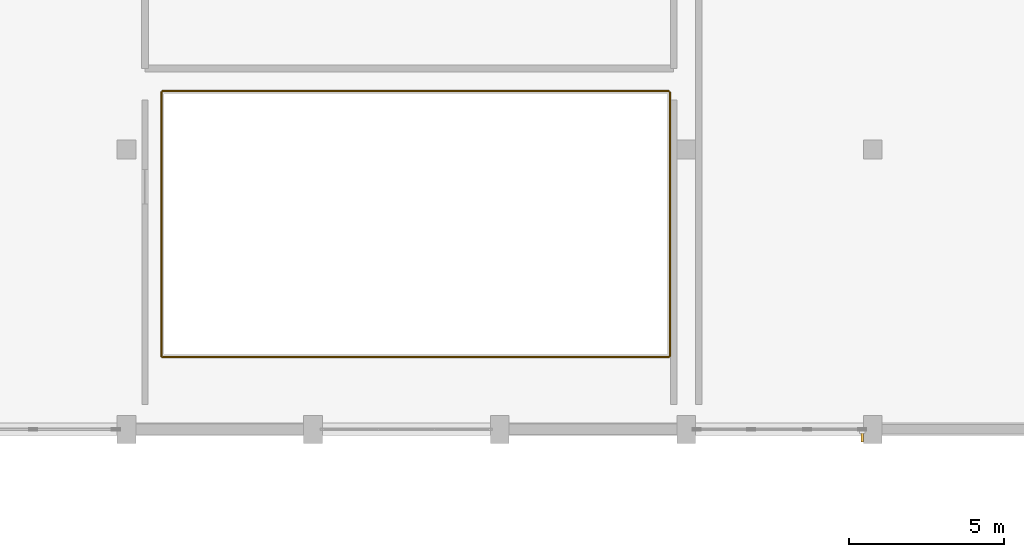
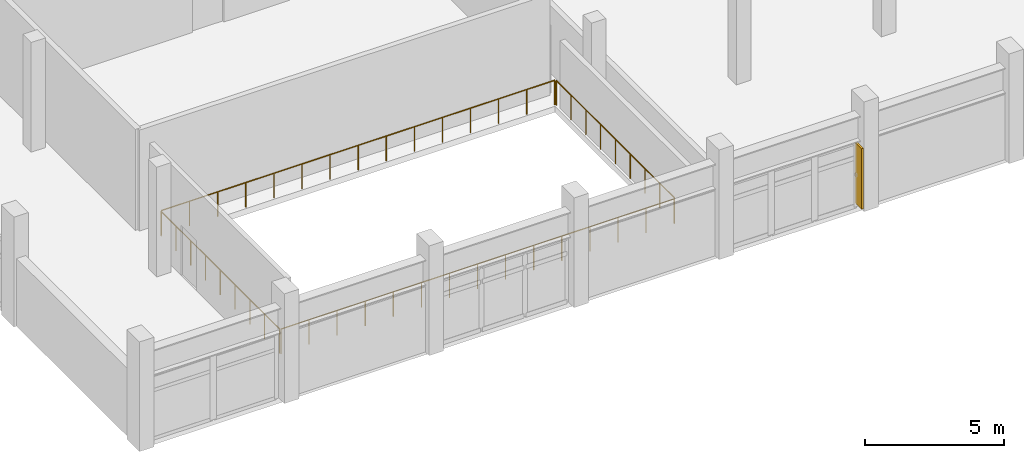
# One storey, part 52 of 62: 4 railings, 1 shading device.
"""IFC4 building model written with IfcOpenShell, lengths in metres."""

from ifc_helpers import new_model, si_unit, direction, frame, origin, origin_2d, place, context, subcontext, project, spatial, rectangle, circle, extrude, material, type_object, element, save


model = new_model("IFC4")

# Units and contexts
model_context = context("Model", 3, precision=1e-05, world=origin(), true_north=direction((0.0, 1.0)))
body_context = subcontext(model_context, "Body", "Model", "MODEL_VIEW")
ifc_project = project(units=[si_unit("LENGTHUNIT", "METRE"), si_unit("AREAUNIT", "SQUARE_METRE"), si_unit("VOLUMEUNIT", "CUBIC_METRE"), si_unit("PLANEANGLEUNIT", "RADIAN"), si_unit("MASSUNIT", "GRAM", prefix="KILO")], contexts=[model_context])

# Site, building, storey
site_placement = place(None, origin())
site = spatial("IfcSite", under=ifc_project, at=site_placement, CompositionType="ELEMENT")
building_placement = place(site_placement, origin())
building = spatial("IfcBuilding", under=site, at=building_placement, Name="Vaelkrest Opera House", CompositionType="ELEMENT")
storey_placement = place(building_placement, frame((0.0, 0.0, 19.800048828125)))
storey = spatial("IfcBuildingStorey", under=building, at=storey_placement, Name="L04", CompositionType="ELEMENT", Elevation=19.800048828125)

# Shading device
ifc_material = material(Name="Dark bronze anodized aluminium", Category="aluminium")
shading_device_type = type_object("IfcShadingDeviceType", Name="FIN01", PredefinedType="USERDEFINED", material=ifc_material)
shading_device_placement = place(storey_placement, frame((-45.93798828125, -16.97998046875, 0.10107421875), z_axis=(0.0, 0.0, 1.0), x_axis=(0.0, -1.0, 0.0)))
element("IfcShadingDevice", 1, at=shading_device_placement, inside=storey, type_object=shading_device_type, Name="Bronze vertical facade fin 17", ObjectType="FIN", PredefinedType="USERDEFINED", context=body_context, shape_type="SweptSolid", body=[
    extrude(rectangle(XDim=0.449951171875, YDim=0.080078125, at=origin_2d()), origin(), (0.0, 0.0, 1.0), 2.64990234375),
])

# Railings
railing_type = type_object("IfcRailingType", Name="GR01", PredefinedType="GUARDRAIL", material=ifc_material)
railing_1_placement = place(storey_placement, frame((-68.43994140625, -14.47998046875, 0.0)))
element("IfcRailing", 2, at=railing_1_placement, inside=storey, type_object=railing_type, Name="Atrium/stage void guard V3 L04-1 seg 1", PredefinedType="GUARDRAIL", context=body_context, shape_type="SweptSolid", body=[
    extrude(circle(Radius=0.02392578125, at=origin_2d()), frame((0.0, 0.0, 1.076171875), z_axis=(1.0, 0.0, 0.0), x_axis=(0.0, 1.0, 0.0)), (0.0, 0.0, 1.0), 16.280029296875),
    extrude(circle(Radius=0.02099609375, at=origin_2d()), origin(), (0.0, 0.0, 1.0), 1.052001953125),
    extrude(circle(Radius=0.02099609375, at=origin_2d()), frame((1.162841796875, 0.0, 0.0)), (0.0, 0.0, 1.0), 1.052001953125),
    extrude(circle(Radius=0.02099609375, at=origin_2d()), frame((2.32568359375, 0.0, 0.0)), (0.0, 0.0, 1.0), 1.052001953125),
    extrude(circle(Radius=0.02099609375, at=origin_2d()), frame((3.488525390625, 0.0, 0.0)), (0.0, 0.0, 1.0), 1.052001953125),
    extrude(circle(Radius=0.02099609375, at=origin_2d()), frame((4.6513671875, 0.0, 0.0)), (0.0, 0.0, 1.0), 1.052001953125),
    extrude(circle(Radius=0.02099609375, at=origin_2d()), frame((5.814208984375, 0.0, 0.0)), (0.0, 0.0, 1.0), 1.052001953125),
    extrude(circle(Radius=0.02099609375, at=origin_2d()), frame((6.97705078125, 0.0, 0.0)), (0.0, 0.0, 1.0), 1.052001953125),
    extrude(circle(Radius=0.02099609375, at=origin_2d()), frame((8.14013671875, 0.0, 0.0)), (0.0, 0.0, 1.0), 1.052001953125),
    extrude(circle(Radius=0.02099609375, at=origin_2d()), frame((9.302978515625, 0.0, 0.0)), (0.0, 0.0, 1.0), 1.052001953125),
    extrude(circle(Radius=0.02099609375, at=origin_2d()), frame((10.4658203125, 0.0, 0.0)), (0.0, 0.0, 1.0), 1.052001953125),
    extrude(circle(Radius=0.02099609375, at=origin_2d()), frame((11.628662109375, 0.0, 0.0)), (0.0, 0.0, 1.0), 1.052001953125),
    extrude(circle(Radius=0.02099609375, at=origin_2d()), frame((12.79150390625, 0.0, 0.0)), (0.0, 0.0, 1.0), 1.052001953125),
    extrude(circle(Radius=0.02099609375, at=origin_2d()), frame((13.954345703125, 0.0, 0.0)), (0.0, 0.0, 1.0), 1.052001953125),
    extrude(circle(Radius=0.02099609375, at=origin_2d()), frame((15.1171875, 0.0, 0.0)), (0.0, 0.0, 1.0), 1.052001953125),
    extrude(circle(Radius=0.02099609375, at=origin_2d()), frame((16.280029296875, 0.0, 0.0)), (0.0, 0.0, 1.0), 1.052001953125),
])
railing_2_placement = place(storey_placement, frame((-52.1201171875, -14.43994140625, 0.0)))
element("IfcRailing", 3, at=railing_2_placement, inside=storey, type_object=railing_type, Name="Atrium/stage void guard V3 L04-1 seg 2", PredefinedType="GUARDRAIL", context=body_context, shape_type="SweptSolid", body=[
    extrude(circle(Radius=0.02392578125, at=origin_2d()), frame((0.0, 0.0, 1.076171875), z_axis=(0.0, 1.0, 0.0), x_axis=(-1.0, 0.0, 0.0)), (0.0, 0.0, 1.0), 8.47998046875),
    extrude(circle(Radius=0.02099609375, at=origin_2d()), origin(), (0.0, 0.0, 1.0), 1.052001953125),
    extrude(circle(Radius=0.02099609375, at=origin_2d()), frame((0.0, 1.06005859375, 0.0)), (0.0, 0.0, 1.0), 1.052001953125),
    extrude(circle(Radius=0.02099609375, at=origin_2d()), frame((0.0, 2.1201171875, 0.0)), (0.0, 0.0, 1.0), 1.052001953125),
    extrude(circle(Radius=0.02099609375, at=origin_2d()), frame((0.0, 3.179931640625, 0.0)), (0.0, 0.0, 1.0), 1.052001953125),
    extrude(circle(Radius=0.02099609375, at=origin_2d()), frame((0.0, 4.239990234375, 0.0)), (0.0, 0.0, 1.0), 1.052001953125),
    extrude(circle(Radius=0.02099609375, at=origin_2d()), frame((0.0, 5.300048828125, 0.0)), (0.0, 0.0, 1.0), 1.052001953125),
    extrude(circle(Radius=0.02099609375, at=origin_2d()), frame((0.0, 6.35986328125, 0.0)), (0.0, 0.0, 1.0), 1.052001953125),
    extrude(circle(Radius=0.02099609375, at=origin_2d()), frame((0.0, 7.419921875, 0.0)), (0.0, 0.0, 1.0), 1.052001953125),
    extrude(circle(Radius=0.02099609375, at=origin_2d()), frame((0.0, 8.47998046875, 0.0)), (0.0, 0.0, 1.0), 1.052001953125),
])
railing_3_placement = place(storey_placement, frame((-52.159912109375, -5.919921875, 0.0)))
element("IfcRailing", 4, at=railing_3_placement, inside=storey, type_object=railing_type, Name="Atrium/stage void guard V3 L04-1 seg 3", PredefinedType="GUARDRAIL", context=body_context, shape_type="SweptSolid", body=[
    extrude(circle(Radius=0.02392578125, at=origin_2d()), frame((0.0, 0.0, 1.076171875), z_axis=(-1.0, 0.0, 0.0), x_axis=(0.0, -1.0, 0.0)), (0.0, 0.0, 1.0), 16.280029296875),
    extrude(circle(Radius=0.02099609375, at=origin_2d()), origin(), (0.0, 0.0, 1.0), 1.052001953125),
    extrude(circle(Radius=0.02099609375, at=origin_2d()), frame((-1.162841796875, 0.0, 0.0)), (0.0, 0.0, 1.0), 1.052001953125),
    extrude(circle(Radius=0.02099609375, at=origin_2d()), frame((-2.32568359375, 0.0, 0.0)), (0.0, 0.0, 1.0), 1.052001953125),
    extrude(circle(Radius=0.02099609375, at=origin_2d()), frame((-3.488525390625, 0.0, 0.0)), (0.0, 0.0, 1.0), 1.052001953125),
    extrude(circle(Radius=0.02099609375, at=origin_2d()), frame((-4.6513671875, 0.0, 0.0)), (0.0, 0.0, 1.0), 1.052001953125),
    extrude(circle(Radius=0.02099609375, at=origin_2d()), frame((-5.814208984375, 0.0, 0.0)), (0.0, 0.0, 1.0), 1.052001953125),
    extrude(circle(Radius=0.02099609375, at=origin_2d()), frame((-6.97705078125, 0.0, 0.0)), (0.0, 0.0, 1.0), 1.052001953125),
    extrude(circle(Radius=0.02099609375, at=origin_2d()), frame((-8.14013671875, 0.0, 0.0)), (0.0, 0.0, 1.0), 1.052001953125),
    extrude(circle(Radius=0.02099609375, at=origin_2d()), frame((-9.302978515625, 0.0, 0.0)), (0.0, 0.0, 1.0), 1.052001953125),
    extrude(circle(Radius=0.02099609375, at=origin_2d()), frame((-10.4658203125, 0.0, 0.0)), (0.0, 0.0, 1.0), 1.052001953125),
    extrude(circle(Radius=0.02099609375, at=origin_2d()), frame((-11.628662109375, 0.0, 0.0)), (0.0, 0.0, 1.0), 1.052001953125),
    extrude(circle(Radius=0.02099609375, at=origin_2d()), frame((-12.79150390625, 0.0, 0.0)), (0.0, 0.0, 1.0), 1.052001953125),
    extrude(circle(Radius=0.02099609375, at=origin_2d()), frame((-13.954345703125, 0.0, 0.0)), (0.0, 0.0, 1.0), 1.052001953125),
    extrude(circle(Radius=0.02099609375, at=origin_2d()), frame((-15.1171875, 0.0, 0.0)), (0.0, 0.0, 1.0), 1.052001953125),
    extrude(circle(Radius=0.02099609375, at=origin_2d()), frame((-16.280029296875, 0.0, 0.0)), (0.0, 0.0, 1.0), 1.052001953125),
])
railing_4_placement = place(storey_placement, frame((-68.47998046875, -5.9599609375, 0.0)))
element("IfcRailing", 5, at=railing_4_placement, inside=storey, type_object=railing_type, Name="Atrium/stage void guard V3 L04-1 seg 4", PredefinedType="GUARDRAIL", context=body_context, shape_type="SweptSolid", body=[
    extrude(circle(Radius=0.02392578125, at=origin_2d()), frame((0.0, 0.0, 1.076171875), z_axis=(0.0, -1.0, 0.0), x_axis=(1.0, 0.0, 0.0)), (0.0, 0.0, 1.0), 8.47998046875),
    extrude(circle(Radius=0.02099609375, at=origin_2d()), origin(), (0.0, 0.0, 1.0), 1.052001953125),
    extrude(circle(Radius=0.02099609375, at=origin_2d()), frame((0.0, -1.06005859375, 0.0)), (0.0, 0.0, 1.0), 1.052001953125),
    extrude(circle(Radius=0.02099609375, at=origin_2d()), frame((0.0, -2.1201171875, 0.0)), (0.0, 0.0, 1.0), 1.052001953125),
    extrude(circle(Radius=0.02099609375, at=origin_2d()), frame((0.0, -3.179931640625, 0.0)), (0.0, 0.0, 1.0), 1.052001953125),
    extrude(circle(Radius=0.02099609375, at=origin_2d()), frame((0.0, -4.239990234375, 0.0)), (0.0, 0.0, 1.0), 1.052001953125),
    extrude(circle(Radius=0.02099609375, at=origin_2d()), frame((0.0, -5.300048828125, 0.0)), (0.0, 0.0, 1.0), 1.052001953125),
    extrude(circle(Radius=0.02099609375, at=origin_2d()), frame((0.0, -6.35986328125, 0.0)), (0.0, 0.0, 1.0), 1.052001953125),
    extrude(circle(Radius=0.02099609375, at=origin_2d()), frame((0.0, -7.419921875, 0.0)), (0.0, 0.0, 1.0), 1.052001953125),
    extrude(circle(Radius=0.02099609375, at=origin_2d()), frame((0.0, -8.47998046875, 0.0)), (0.0, 0.0, 1.0), 1.052001953125),
])

save(model, "model.ifc")
